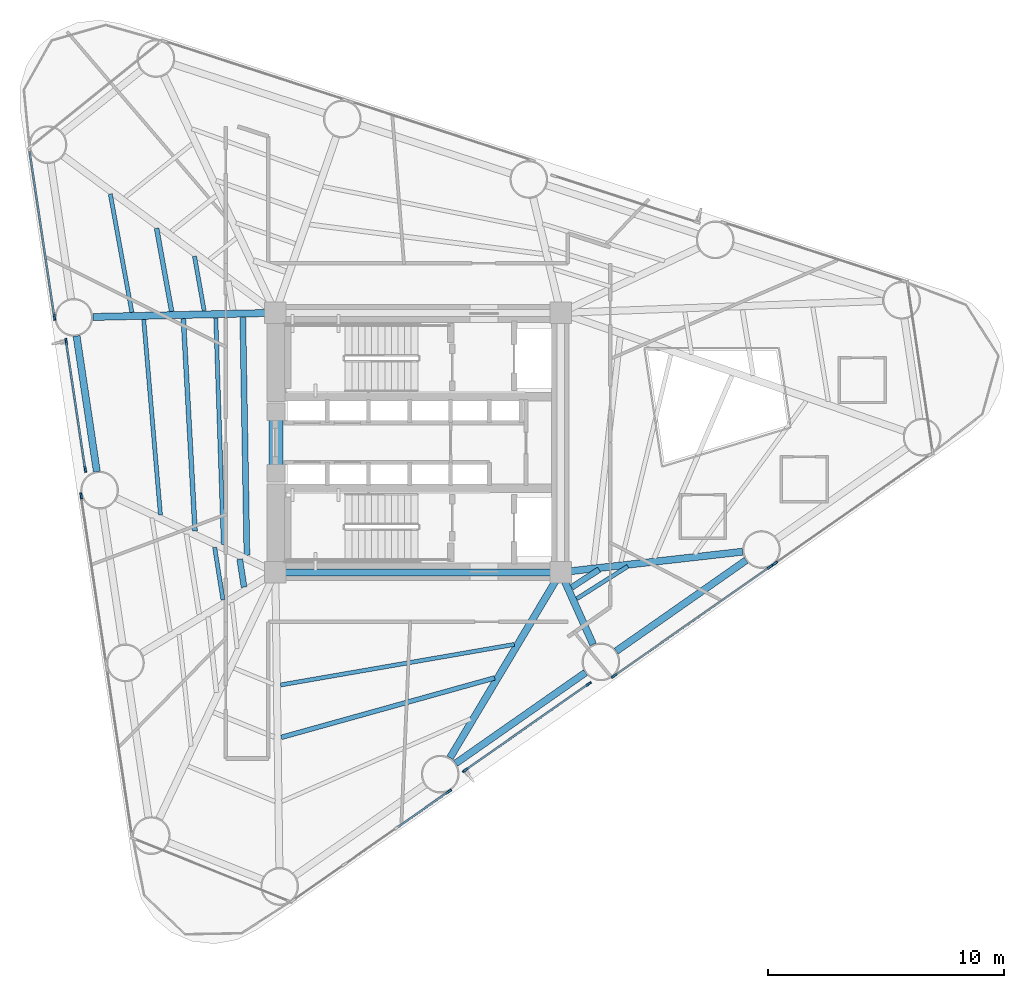
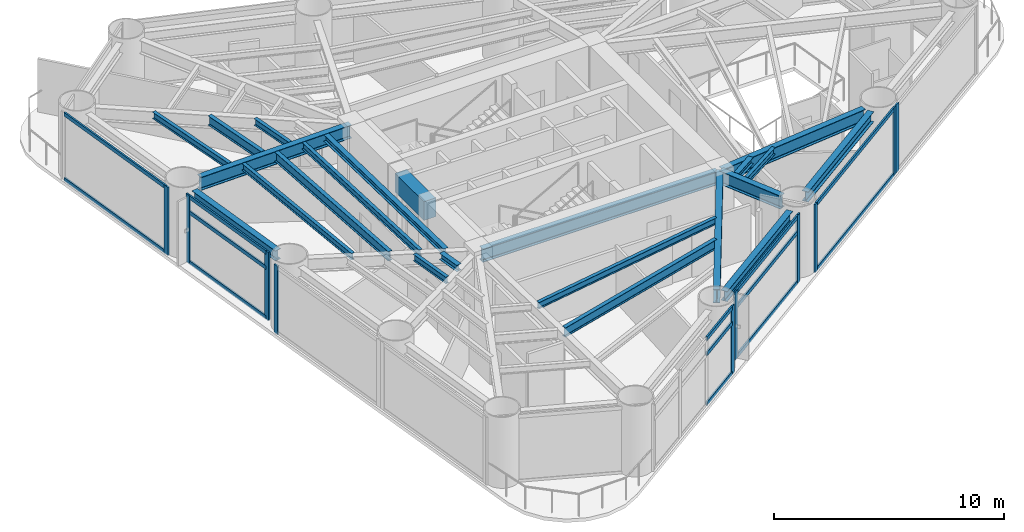
# One storey, part 2 of 9: 23 members, 22 beams, 7 elements without a shape of their own.
"""IFC4 building model written with IfcOpenShell, lengths in metres."""

from ifc_helpers import new_model, si_unit, direction, frame, origin, origin_2d, place, context, subcontext, project, spatial, rectangle, i_section, extrude, source, transform, mapped, material, layer, layer_set, material_profile, profile_set, type_object, element, aggregate, save


model = new_model("IFC4")

# Units and contexts
model_context = context("Model", 3, precision=1e-05, world=origin(), true_north=direction((0.0, 1.0)))
body_context = subcontext(model_context, "Body", "Model", "MODEL_VIEW")
ifc_project = project(units=[si_unit("LENGTHUNIT", "METRE"), si_unit("AREAUNIT", "SQUARE_METRE"), si_unit("VOLUMEUNIT", "CUBIC_METRE"), si_unit("PLANEANGLEUNIT", "RADIAN"), si_unit("MASSUNIT", "GRAM", prefix="KILO")], contexts=[model_context])

# Site, building, storey
site_placement = place(None, origin())
site = spatial("IfcSite", under=ifc_project, at=site_placement, CompositionType="ELEMENT")
building_placement = place(site_placement, origin())
building = spatial("IfcBuilding", under=site, at=building_placement, Name="Yunling Apex Tower", CompositionType="ELEMENT")
storey_placement = place(building_placement, frame((0.0, 0.0, 81.050048828125)))
storey = spatial("IfcBuildingStorey", under=building, at=storey_placement, Name="L21", CompositionType="ELEMENT", Elevation=81.050048828125)

# Beams
ifc_material_1 = material(Name="Concrete C60", Category="concrete")
ifc_material_profile_1 = material_profile(ifc_material_1, rectangle(XDim=0.60009765625, YDim=1.0, at=origin_2d()))
ifc_profile_set_1 = profile_set([ifc_material_profile_1], Name="Concrete C60")
beam_type_1 = type_object("IfcBeamType", Name="BC-CPL-1", PredefinedType="BEAM", material=ifc_profile_set_1)
shared_shape_1 = source(origin(), body_context, "Body", "SweptSolid", [
    extrude(rectangle(XDim=0.60009765625, YDim=1.0, at=origin_2d()), origin(), (0.0, 0.0, 1.0), 2.5),
])
beam_1_placement = place(storey_placement, frame((-6.02490234375, -1.25, 3.030029296875), z_axis=(0.0, 1.0, 0.0), x_axis=(-1.0, 0.0, 0.0)))
element("IfcBeam", 1, at=beam_1_placement, inside=storey, type_object=beam_type_1, Name="L21 Core West Portal Coupling Beam", PredefinedType="BEAM", context=body_context, shape_type="MappedRepresentation", body=[
    mapped(shared_shape_1, transform((0.0, 0.0, 0.0), scale=1.0)),
])
ifc_material_2 = material(Name="Steel Q355B", Category="steel")
ifc_material_profile_2 = material_profile(ifc_material_2, i_section(OverallWidth=0.300048828125, OverallDepth=0.699951171875, WebThickness=0.012939453125, FlangeThickness=0.02392578125, FilletRadius=0.02587890625, at=origin_2d()))
ifc_profile_set_2 = profile_set([ifc_material_profile_2], Name="Steel Q355B")
beam_type_2 = type_object("IfcBeamType", Name="BG-PRI-3", PredefinedType="USERDEFINED", material=ifc_profile_set_2)
shared_shape_2 = source(origin(), body_context, "Body", "SweptSolid", [
    extrude(i_section(OverallWidth=0.300048828125, OverallDepth=0.699951171875, WebThickness=0.012939453125, FlangeThickness=0.02392578125, FilletRadius=0.02587890625, at=origin_2d()), origin(), (0.0, 0.0, 1.0), 11.7998046875),
])
beam_2_placement = place(storey_placement, frame((-5.89990234375, -5.5, 3.179931640625), z_axis=(1.0, 0.0, 0.0), x_axis=(0.0, 1.0, 0.0)))
element("IfcBeam", 2, at=beam_2_placement, inside=storey, type_object=beam_type_2, Name="L21 Core Ring Tie Beam 1", ObjectType="GIRDER", PredefinedType="USERDEFINED", context=body_context, shape_type="MappedRepresentation", body=[
    mapped(shared_shape_2, transform((0.0, 0.0, 0.0), scale=1.0)),
])
ifc_material_profile_3 = material_profile(ifc_material_2, i_section(OverallWidth=0.300048828125, OverallDepth=0.5400390625, WebThickness=0.011962890625, FlangeThickness=0.02001953125, FilletRadius=0.02392578125, at=origin_2d()))
ifc_profile_set_3 = profile_set([ifc_material_profile_3], Name="Steel Q355B")
beam_type_3 = type_object("IfcBeamType", Name="BP-SPN-1", PredefinedType="SPANDREL", material=ifc_profile_set_3)
shared_shape_3 = source(origin(), body_context, "Body", "SweptSolid", [
    extrude(i_section(OverallWidth=0.300048828125, OverallDepth=0.5400390625, WebThickness=0.011962890625, FlangeThickness=0.02001953125, FilletRadius=0.02392578125, at=origin_2d()), origin(), (0.0, 0.0, 1.0), 6.721435546875),
])
for number, where, z_axis, x_axis, name in (
    (3, (1.59228515625, -13.60302734375, 3.260009765625), (0.81955772083, 0.572996633697, 0.0), (-0.572996633697, 0.81955772083, 0.0), "L21 Perimeter Spandrel Beam 2"),
    (4, (8.40234375, -8.841796875, 3.260009765625), (0.81955772083, 0.572996633697, 0.0), (-0.572996633697, 0.81955772083, 0.0), "L21 Perimeter Spandrel Beam 3"),
):
    element("IfcBeam", number, at=place(storey_placement, frame(where, z_axis=z_axis, x_axis=x_axis)), inside=storey, type_object=beam_type_3, Name=name, PredefinedType="SPANDREL", context=body_context, shape_type="MappedRepresentation", body=[
        mapped(shared_shape_3, transform((0.0, 0.0, 0.0), scale=1.0)),
    ])
shared_shape_4 = source(origin(), body_context, "Body", "SweptSolid", [
    extrude(i_section(OverallWidth=0.300048828125, OverallDepth=0.5400390625, WebThickness=0.011962890625, FlangeThickness=0.02001953125, FilletRadius=0.02392578125, at=origin_2d()), origin(), (0.0, 0.0, 1.0), 5.81689453125),
])
beam_3_placement = place(storey_placement, frame((-14.477294921875, 4.5205078125, 3.260009765625), z_axis=(0.147823230204, -0.989013797989, 0.0), x_axis=(0.989013797989, 0.147823230204, 0.0)))
element("IfcBeam", 5, at=beam_3_placement, inside=storey, type_object=beam_type_3, Name="L21 Perimeter Spandrel Beam 12", PredefinedType="SPANDREL", context=body_context, shape_type="MappedRepresentation", body=[
    mapped(shared_shape_4, transform((0.0, 0.0, 0.0), scale=1.0)),
])
shared_shape_5 = source(origin(), body_context, "Body", "SweptSolid", [
    extrude(i_section(OverallWidth=0.300048828125, OverallDepth=0.699951171875, WebThickness=0.012939453125, FlangeThickness=0.02392578125, FilletRadius=0.02587890625, at=origin_2d()), origin(), (0.0, 0.0, 1.0), 9.078857421875),
])
beam_4_placement = place(storey_placement, frame((1.355712890625, -13.3642578125, 3.179931640625), z_axis=(0.512544819157, 0.858660473269, 0.0), x_axis=(-0.858660473269, 0.512544819157, 0.0)))
element("IfcBeam", 6, at=beam_4_placement, inside=storey, type_object=beam_type_2, Name="L21 Radial Primary Girder R02", ObjectType="GIRDER", PredefinedType="USERDEFINED", context=body_context, shape_type="MappedRepresentation", body=[
    mapped(shared_shape_5, transform((0.0, 0.0, 0.0), scale=1.0)),
])
shared_shape_6 = source(origin(), body_context, "Body", "SweptSolid", [
    extrude(i_section(OverallWidth=0.300048828125, OverallDepth=0.699951171875, WebThickness=0.012939453125, FlangeThickness=0.02392578125, FilletRadius=0.02587890625, at=origin_2d()), origin(), (0.0, 0.0, 1.0), 3.272705078125),
])
beam_5_placement = place(storey_placement, frame((7.421142578125, -8.5595703125, 3.179931640625), z_axis=(-0.408946662986, 0.912558286814, 0.0), x_axis=(-0.912558286814, -0.408946662986, 0.0)))
element("IfcBeam", 7, at=beam_5_placement, inside=storey, type_object=beam_type_2, Name="L21 Radial Primary Girder R03", ObjectType="GIRDER", PredefinedType="USERDEFINED", context=body_context, shape_type="MappedRepresentation", body=[
    mapped(shared_shape_6, transform((0.0, 0.0, 0.0), scale=1.0)),
])
shared_shape_7 = source(origin(), body_context, "Body", "SweptSolid", [
    extrude(i_section(OverallWidth=0.300048828125, OverallDepth=0.699951171875, WebThickness=0.012939453125, FlangeThickness=0.02392578125, FilletRadius=0.02587890625, at=origin_2d()), origin(), (0.0, 0.0, 1.0), 7.677978515625),
])
beam_6_placement = place(storey_placement, frame((13.758544921875, -4.62646484375, 3.179931640625), z_axis=(-0.993640958951, -0.112595047382, 0.0), x_axis=(0.112595047382, -0.993640958951, 0.0)))
element("IfcBeam", 8, at=beam_6_placement, inside=storey, type_object=beam_type_2, Name="L21 Radial Primary Girder R04", ObjectType="GIRDER", PredefinedType="USERDEFINED", context=body_context, shape_type="MappedRepresentation", body=[
    mapped(shared_shape_7, transform((0.0, 0.0, 0.0), scale=1.0)),
])
shared_shape_8 = source(origin(), body_context, "Body", "SweptSolid", [
    extrude(i_section(OverallWidth=0.300048828125, OverallDepth=0.699951171875, WebThickness=0.012939453125, FlangeThickness=0.02392578125, FilletRadius=0.02587890625, at=origin_2d()), origin(), (0.0, 0.0, 1.0), 7.658935546875),
])
beam_7_placement = place(storey_placement, frame((-13.786865234375, 5.32421875, 3.179931640625), z_axis=(0.999741687414, 0.022727922173, 0.0), x_axis=(-0.022727922173, 0.999741687414, 0.0)))
element("IfcBeam", 9, at=beam_7_placement, inside=storey, type_object=beam_type_2, Name="L21 Radial Primary Girder R12", ObjectType="GIRDER", PredefinedType="USERDEFINED", context=body_context, shape_type="MappedRepresentation", body=[
    mapped(shared_shape_8, transform((0.0, 0.0, 0.0), scale=1.0)),
])
ifc_material_profile_4 = material_profile(ifc_material_2, i_section(OverallWidth=0.199951171875, OverallDepth=0.5, WebThickness=0.010009765625, FlangeThickness=0.01611328125, FilletRadius=0.02001953125, at=origin_2d()))
ifc_profile_set_4 = profile_set([ifc_material_profile_4], Name="Steel Q355B")
beam_type_4 = type_object("IfcBeamType", Name="BS-SEC-2", PredefinedType="BEAM", material=ifc_profile_set_4)
shared_shape_9 = source(origin(), body_context, "Body", "SweptSolid", [
    extrude(i_section(OverallWidth=0.199951171875, OverallDepth=0.5, WebThickness=0.010009765625, FlangeThickness=0.01611328125, FilletRadius=0.02001953125, at=origin_2d()), origin(), (0.0, 0.0, 1.0), 9.3935546875),
])
beam_8_placement = place(storey_placement, frame((-5.7998046875, -12.498779296875, 3.280029296875), z_axis=(0.963300137935, 0.268426608693, 0.0), x_axis=(-0.268426608693, 0.963300137935, 0.0)))
element("IfcBeam", 10, at=beam_8_placement, inside=storey, type_object=beam_type_4, Name="L21 Composite Floor Beam BS-1", PredefinedType="BEAM", context=body_context, shape_type="MappedRepresentation", body=[
    mapped(shared_shape_9, transform((0.0, 0.0, 0.0), scale=1.0)),
])
ifc_material_profile_5 = material_profile(ifc_material_2, i_section(OverallWidth=0.175048828125, OverallDepth=0.35009765625, WebThickness=0.007080078125, FlangeThickness=0.010986328125, FilletRadius=0.013916015625, at=origin_2d()))
ifc_profile_set_5 = profile_set([ifc_material_profile_5], Name="Steel Q355B")
beam_type_5 = type_object("IfcBeamType", Name="BJ-JST-1", PredefinedType="JOIST", material=ifc_profile_set_5)
shared_shape_10 = source(origin(), body_context, "Body", "SweptSolid", [
    extrude(i_section(OverallWidth=0.175048828125, OverallDepth=0.35009765625, WebThickness=0.007080078125, FlangeThickness=0.010986328125, FilletRadius=0.013916015625, at=origin_2d()), origin(), (0.0, 0.0, 1.0), 10.057861328125),
])
beam_9_placement = place(storey_placement, frame((-5.826904296875, -10.276611328125, 3.35498046875), z_axis=(0.985298923649, 0.170839196488, 0.0), x_axis=(-0.170839196488, 0.985298923649, 0.0)))
element("IfcBeam", 11, at=beam_9_placement, inside=storey, type_object=beam_type_5, Name="L21 Composite Floor Joist BJ3-1", PredefinedType="JOIST", context=body_context, shape_type="MappedRepresentation", body=[
    mapped(shared_shape_10, transform((0.0, 0.0, 0.0), scale=1.0)),
])
shared_shape_11 = source(origin(), body_context, "Body", "SweptSolid", [
    extrude(i_section(OverallWidth=0.199951171875, OverallDepth=0.5, WebThickness=0.010009765625, FlangeThickness=0.01611328125, FilletRadius=0.02001953125, at=origin_2d()), origin(), (0.0, 0.0, 1.0), 3.5859375),
])
beam_10_placement = place(storey_placement, frame((-11.083984375, 9.0869140625, 3.280029296875), z_axis=(0.177830877335, -0.984061064704, 0.0), x_axis=(0.984061064704, 0.177830877335, 0.0)))
element("IfcBeam", 12, at=beam_10_placement, inside=storey, type_object=beam_type_4, Name="L21 Composite Floor Beam BS-11", PredefinedType="BEAM", context=body_context, shape_type="MappedRepresentation", body=[
    mapped(shared_shape_11, transform((0.0, 0.0, 0.0), scale=1.0)),
])
shared_shape_12 = source(origin(), body_context, "Body", "SweptSolid", [
    extrude(i_section(OverallWidth=0.175048828125, OverallDepth=0.35009765625, WebThickness=0.007080078125, FlangeThickness=0.010986328125, FilletRadius=0.013916015625, at=origin_2d()), origin(), (0.0, 0.0, 1.0), 5.102294921875),
])
beam_11_placement = place(storey_placement, frame((-13.047119140625, 10.539306640625, 3.35498046875), z_axis=(0.179533864947, -0.983751793562, 0.0), x_axis=(0.983751793562, 0.179533864947, 0.0)))
element("IfcBeam", 13, at=beam_11_placement, inside=storey, type_object=beam_type_5, Name="L21 Composite Floor Joist BJ1-11", PredefinedType="JOIST", context=body_context, shape_type="MappedRepresentation", body=[
    mapped(shared_shape_12, transform((0.0, 0.0, 0.0), scale=1.0)),
])
shared_shape_13 = source(origin(), body_context, "Body", "SweptSolid", [
    extrude(i_section(OverallWidth=0.175048828125, OverallDepth=0.35009765625, WebThickness=0.007080078125, FlangeThickness=0.010986328125, FilletRadius=0.013916015625, at=origin_2d()), origin(), (0.0, 0.0, 1.0), 2.34521484375),
])
beam_12_placement = place(storey_placement, frame((-9.477783203125, 7.898681640625, 3.35498046875), z_axis=(0.174889813897, -0.984588011808, 0.0), x_axis=(0.984588011808, 0.174889813897, 0.0)))
element("IfcBeam", 14, at=beam_12_placement, inside=storey, type_object=beam_type_5, Name="L21 Composite Floor Joist BJ3-11", PredefinedType="JOIST", context=body_context, shape_type="MappedRepresentation", body=[
    mapped(shared_shape_13, transform((0.0, 0.0, 0.0), scale=1.0)),
])
shared_shape_14 = source(origin(), body_context, "Body", "SweptSolid", [
    extrude(i_section(OverallWidth=0.199951171875, OverallDepth=0.5, WebThickness=0.010009765625, FlangeThickness=0.01611328125, FilletRadius=0.02001953125, at=origin_2d()), origin(), (0.0, 0.0, 1.0), 9.018310546875),
])
beam_13_placement = place(storey_placement, frame((-9.94970703125, 5.25146484375, 3.280029296875), z_axis=(0.054955731572, -0.998488791909, 0.0), x_axis=(0.998488791909, 0.054955731572, 0.0)))
element("IfcBeam", 15, at=beam_13_placement, inside=storey, type_object=beam_type_4, Name="L21 Composite Floor Beam BS-12", PredefinedType="BEAM", context=body_context, shape_type="MappedRepresentation", body=[
    mapped(shared_shape_14, transform((0.0, 0.0, 0.0), scale=1.0)),
])
shared_shape_15 = source(origin(), body_context, "Body", "SweptSolid", [
    extrude(i_section(OverallWidth=0.175048828125, OverallDepth=0.35009765625, WebThickness=0.007080078125, FlangeThickness=0.010986328125, FilletRadius=0.013916015625, at=origin_2d()), origin(), (0.0, 0.0, 1.0), 8.313720703125),
])
beam_14_placement = place(storey_placement, frame((-11.62939453125, 5.21337890625, 3.35498046875), z_axis=(0.085220398072, -0.996362124808, 0.0), x_axis=(0.996362124808, 0.085220398072, 0.0)))
element("IfcBeam", 16, at=beam_14_placement, inside=storey, type_object=beam_type_5, Name="L21 Composite Floor Joist BJ1-12", PredefinedType="JOIST", context=body_context, shape_type="MappedRepresentation", body=[
    mapped(shared_shape_15, transform((0.0, 0.0, 0.0), scale=1.0)),
])
shared_shape_16 = source(origin(), body_context, "Body", "SweptSolid", [
    extrude(i_section(OverallWidth=0.175048828125, OverallDepth=0.35009765625, WebThickness=0.007080078125, FlangeThickness=0.010986328125, FilletRadius=0.013916015625, at=origin_2d()), origin(), (0.0, 0.0, 1.0), 9.600341796875),
])
beam_15_placement = place(storey_placement, frame((-8.57470703125, 5.28271484375, 3.35498046875), z_axis=(0.033364787957, -0.999443240472, 0.0), x_axis=(0.999443240472, 0.033364787957, 0.0)))
element("IfcBeam", 17, at=beam_15_placement, inside=storey, type_object=beam_type_5, Name="L21 Composite Floor Joist BJ3-12", PredefinedType="JOIST", context=body_context, shape_type="MappedRepresentation", body=[
    mapped(shared_shape_16, transform((0.0, 0.0, 0.0), scale=1.0)),
])
ifc_material_profile_6 = material_profile(ifc_material_2, i_section(OverallWidth=0.25, OverallDepth=0.340087890625, WebThickness=0.009033203125, FlangeThickness=0.013916015625, FilletRadius=0.01806640625, at=origin_2d()))
ifc_profile_set_6 = profile_set([ifc_material_profile_6], Name="Steel Q355B")
beam_type_6 = type_object("IfcBeamType", Name="BJ-JST-2", PredefinedType="JOIST", material=ifc_profile_set_6)
shared_shape_17 = source(origin(), body_context, "Body", "SweptSolid", [
    extrude(i_section(OverallWidth=0.25, OverallDepth=0.340087890625, WebThickness=0.009033203125, FlangeThickness=0.013916015625, FilletRadius=0.01806640625, at=origin_2d()), origin(), (0.0, 0.0, 1.0), 10.088134765625),
])
beam_16_placement = place(storey_placement, frame((-7.428955078125, 5.30859375, 3.35986328125), z_axis=(0.017255085284, -0.999851119933, 0.0), x_axis=(0.999851119933, 0.017255085284, 0.0)))
element("IfcBeam", 18, at=beam_16_placement, inside=storey, type_object=beam_type_6, Name="L21 Composite Floor Joist BJ2-12", PredefinedType="JOIST", context=body_context, shape_type="MappedRepresentation", body=[
    mapped(shared_shape_17, transform((0.0, 0.0, 0.0), scale=1.0)),
])
shared_shape_18 = source(origin(), body_context, "Body", "SweptSolid", [
    extrude(i_section(OverallWidth=0.175048828125, OverallDepth=0.35009765625, WebThickness=0.007080078125, FlangeThickness=0.010986328125, FilletRadius=0.013916015625, at=origin_2d()), origin(), (0.0, 0.0, 1.0), 2.252685546875),
])
beam_17_placement = place(storey_placement, frame((-8.622802734375, -4.443603515625, 3.35498046875), z_axis=(0.156608129458, -0.987660819203, 0.0), x_axis=(0.987660819203, 0.156608129458, 0.0)))
element("IfcBeam", 19, at=beam_17_placement, inside=storey, type_object=beam_type_5, Name="L21 Composite Floor Joist BJ3-13", PredefinedType="JOIST", context=body_context, shape_type="MappedRepresentation", body=[
    mapped(shared_shape_18, transform((0.0, 0.0, 0.0), scale=1.0)),
])
shared_shape_19 = source(origin(), body_context, "Body", "SweptSolid", [
    extrude(i_section(OverallWidth=0.25, OverallDepth=0.340087890625, WebThickness=0.009033203125, FlangeThickness=0.013916015625, FilletRadius=0.01806640625, at=origin_2d()), origin(), (0.0, 0.0, 1.0), 1.20068359375),
])
beam_18_placement = place(storey_placement, frame((-7.559814453125, -4.94091796875, 3.35986328125), z_axis=(0.154531945298, -0.987987792375, 0.0), x_axis=(0.987987792375, 0.154531945298, 0.0)))
element("IfcBeam", 20, at=beam_18_placement, inside=storey, type_object=beam_type_6, Name="L21 Composite Floor Joist BJ2-13", PredefinedType="JOIST", context=body_context, shape_type="MappedRepresentation", body=[
    mapped(shared_shape_19, transform((0.0, 0.0, 0.0), scale=1.0)),
])
shared_shape_20 = source(origin(), body_context, "Body", "SweptSolid", [
    extrude(i_section(OverallWidth=0.175048828125, OverallDepth=0.35009765625, WebThickness=0.007080078125, FlangeThickness=0.010986328125, FilletRadius=0.013916015625, at=origin_2d()), origin(), (0.0, 0.0, 1.0), 2.56591796875),
])
beam_19_placement = place(storey_placement, frame((6.726318359375, -6.622314453125, 3.35498046875), z_axis=(0.844537965425, 0.535495681547, 0.0), x_axis=(-0.535495681547, 0.844537965425, 0.0)))
element("IfcBeam", 21, at=beam_19_placement, inside=storey, type_object=beam_type_5, Name="L21 Composite Floor Joist BJ3-3", PredefinedType="JOIST", context=body_context, shape_type="MappedRepresentation", body=[
    mapped(shared_shape_20, transform((0.0, 0.0, 0.0), scale=1.0)),
])
shared_shape_21 = source(origin(), body_context, "Body", "SweptSolid", [
    extrude(i_section(OverallWidth=0.25, OverallDepth=0.340087890625, WebThickness=0.009033203125, FlangeThickness=0.013916015625, FilletRadius=0.01806640625, at=origin_2d()), origin(), (0.0, 0.0, 1.0), 1.385986328125),
])
beam_20_placement = place(storey_placement, frame((6.51123046875, -6.142822265625, 3.35986328125), z_axis=(0.838656853173, 0.544660153331, 0.0), x_axis=(-0.544660153331, 0.838656853173, 0.0)))
element("IfcBeam", 22, at=beam_20_placement, inside=storey, type_object=beam_type_6, Name="L21 Composite Floor Joist BJ2-3", PredefinedType="JOIST", context=body_context, shape_type="MappedRepresentation", body=[
    mapped(shared_shape_21, transform((0.0, 0.0, 0.0), scale=1.0)),
])

# Curtain wall, members
ifc_material_3 = material(Name="Bronze anodised aluminium", Category="aluminium")
ifc_layer = layer(ifc_material_3, 0.260009765625)
ifc_layer_set = layer_set([ifc_layer], Name="Bronze anodised aluminium")
curtain_wall_type = type_object("IfcCurtainWallType", Name="CW-SYS-2", PredefinedType="NOTDEFINED", material=ifc_layer_set)
curtain_wall_1_placement = place(storey_placement, origin())
curtain_wall_1 = element("IfcCurtainWall", 23, at=curtain_wall_1_placement, inside=storey, type_object=curtain_wall_type, Name="CW-L21-F1-B1", PredefinedType="NOTDEFINED")
ifc_material_profile_7 = material_profile(ifc_material_3, rectangle(XDim=0.0849609375, YDim=0.199951171875, at=origin_2d()))
ifc_profile_set_7 = profile_set([ifc_material_profile_7], Name="Bronze anodised aluminium")
member_type_1 = type_object("IfcMemberType", Name="CW-TRN-2", PredefinedType="USERDEFINED", material=ifc_profile_set_7)
shared_shape_22 = source(origin(), body_context, "Body", "SweptSolid", [
    extrude(rectangle(XDim=0.0849609375, YDim=0.199951171875, at=origin_2d()), origin(), (0.0, 0.0, 1.0), 2.59765625),
])
member_1_placement = place(storey_placement, frame((-0.854736328125, -16.30224609375, 0.04248046875), z_axis=(0.819585012743, 0.572957596064, 0.0), x_axis=(-0.572957596064, 0.819585012743, 0.0)))
member_1 = element("IfcMember", 24, at=member_1_placement, type_object=member_type_1, Name="CW-SYS-2 transom 3.1", ObjectType="TRANSOM", PredefinedType="USERDEFINED", context=body_context, shape_type="MappedRepresentation", body=[
    mapped(shared_shape_22, transform((0.0, 0.0, 0.0), scale=1.0)),
])
member_2_placement = place(storey_placement, frame((-0.854736328125, -16.30224609375, 2.682861328125), z_axis=(0.819585012743, 0.572957596064, 0.0), x_axis=(-0.572957596064, 0.819585012743, 0.0)))
member_2 = element("IfcMember", 25, at=member_2_placement, type_object=member_type_1, Name="CW-SYS-2 transom 3.2", ObjectType="TRANSOM", PredefinedType="USERDEFINED", context=body_context, shape_type="MappedRepresentation", body=[
    mapped(shared_shape_22, transform((0.0, 0.0, 0.0), scale=1.0)),
])
member_3_placement = place(storey_placement, frame((-0.854736328125, -16.30224609375, 3.487548828125), z_axis=(0.819585012743, 0.572957596064, 0.0), x_axis=(-0.572957596064, 0.819585012743, 0.0)))
member_3 = element("IfcMember", 26, at=member_3_placement, type_object=member_type_1, Name="CW-SYS-2 transom 3.3", ObjectType="TRANSOM", PredefinedType="USERDEFINED", context=body_context, shape_type="MappedRepresentation", body=[
    mapped(shared_shape_22, transform((0.0, 0.0, 0.0), scale=1.0)),
])

curtain_wall_2_placement = place(storey_placement, origin())
curtain_wall_2 = element("IfcCurtainWall", 27, at=curtain_wall_2_placement, inside=storey, type_object=curtain_wall_type, Name="CW-L21-F1-B2", PredefinedType="NOTDEFINED")
shared_shape_23 = source(origin(), body_context, "Body", "SweptSolid", [
    extrude(rectangle(XDim=0.0849609375, YDim=0.199951171875, at=origin_2d()), origin(), (0.0, 0.0, 1.0), 6.3076171875),
])
member_4_placement = place(storey_placement, frame((2.03125, -13.86962890625, 0.04248046875), z_axis=(0.819555463581, 0.57299986223, 0.0), x_axis=(-0.57299986223, 0.819555463581, 0.0)))
member_4 = element("IfcMember", 28, at=member_4_placement, type_object=member_type_1, Name="CW-SYS-2 transom 1.1", ObjectType="TRANSOM", PredefinedType="USERDEFINED", context=body_context, shape_type="MappedRepresentation", body=[
    mapped(shared_shape_23, transform((0.0, 0.0, 0.0), scale=1.0)),
])
member_5_placement = place(storey_placement, frame((2.03125, -13.86962890625, 2.682861328125), z_axis=(0.819555463581, 0.57299986223, 0.0), x_axis=(-0.57299986223, 0.819555463581, 0.0)))
member_5 = element("IfcMember", 29, at=member_5_placement, type_object=member_type_1, Name="CW-SYS-2 transom 1.2", ObjectType="TRANSOM", PredefinedType="USERDEFINED", context=body_context, shape_type="MappedRepresentation", body=[
    mapped(shared_shape_23, transform((0.0, 0.0, 0.0), scale=1.0)),
])
member_6_placement = place(storey_placement, frame((2.03125, -13.86962890625, 3.487548828125), z_axis=(0.819555463581, 0.57299986223, 0.0), x_axis=(-0.57299986223, 0.819555463581, 0.0)))
member_6 = element("IfcMember", 30, at=member_6_placement, type_object=member_type_1, Name="CW-SYS-2 transom 1.3", ObjectType="TRANSOM", PredefinedType="USERDEFINED", context=body_context, shape_type="MappedRepresentation", body=[
    mapped(shared_shape_23, transform((0.0, 0.0, 0.0), scale=1.0)),
])

curtain_wall_3_placement = place(storey_placement, origin())
curtain_wall_3 = element("IfcCurtainWall", 31, at=curtain_wall_3_placement, inside=storey, type_object=curtain_wall_type, Name="CW-L21-F1-B3", PredefinedType="NOTDEFINED")
shared_shape_24 = source(origin(), body_context, "Body", "SweptSolid", [
    extrude(rectangle(XDim=0.0849609375, YDim=0.199951171875, at=origin_2d()), origin(), (0.0, 0.0, 1.0), 7.98779296875),
])
member_7_placement = place(storey_placement, frame((8.347412109375, -9.868408203125, 0.04248046875), z_axis=(0.819559176955, 0.572994550995, 0.0), x_axis=(-0.572994550995, 0.819559176955, 0.0)))
member_7 = element("IfcMember", 32, at=member_7_placement, type_object=member_type_1, Name="CW-SYS-2 transom 1.1", ObjectType="TRANSOM", PredefinedType="USERDEFINED", context=body_context, shape_type="MappedRepresentation", body=[
    mapped(shared_shape_24, transform((0.0, 0.0, 0.0), scale=1.0)),
])
member_8_placement = place(storey_placement, frame((8.347412109375, -9.868408203125, 3.487548828125), z_axis=(0.819559176955, 0.572994550995, 0.0), x_axis=(-0.572994550995, 0.819559176955, 0.0)))
member_8 = element("IfcMember", 33, at=member_8_placement, type_object=member_type_1, Name="CW-SYS-2 transom 1.2", ObjectType="TRANSOM", PredefinedType="USERDEFINED", context=body_context, shape_type="MappedRepresentation", body=[
    mapped(shared_shape_24, transform((0.0, 0.0, 0.0), scale=1.0)),
])

curtain_wall_4_placement = place(storey_placement, origin())
curtain_wall_4 = element("IfcCurtainWall", 34, at=curtain_wall_4_placement, inside=storey, type_object=curtain_wall_type, Name="CW-L21-F3-B1", PredefinedType="NOTDEFINED")
shared_shape_25 = source(origin(), body_context, "Body", "SweptSolid", [
    extrude(rectangle(XDim=0.0849609375, YDim=0.199951171875, at=origin_2d()), origin(), (0.0, 0.0, 1.0), 7.08349609375),
])
member_9_placement = place(storey_placement, frame((-16.466552734375, 12.350830078125, 0.04248046875), z_axis=(0.147826386349, -0.989013326249, 0.0), x_axis=(0.989013326249, 0.147826386349, 0.0)))
member_9 = element("IfcMember", 35, at=member_9_placement, type_object=member_type_1, Name="CW-SYS-2 transom 1.1", ObjectType="TRANSOM", PredefinedType="USERDEFINED", context=body_context, shape_type="MappedRepresentation", body=[
    mapped(shared_shape_25, transform((0.0, 0.0, 0.0), scale=1.0)),
])
member_10_placement = place(storey_placement, frame((-16.466552734375, 12.350830078125, 3.487548828125), z_axis=(0.147826386349, -0.989013326249, 0.0), x_axis=(0.989013326249, 0.147826386349, 0.0)))
member_10 = element("IfcMember", 36, at=member_10_placement, type_object=member_type_1, Name="CW-SYS-2 transom 1.2", ObjectType="TRANSOM", PredefinedType="USERDEFINED", context=body_context, shape_type="MappedRepresentation", body=[
    mapped(shared_shape_25, transform((0.0, 0.0, 0.0), scale=1.0)),
])

curtain_wall_5_placement = place(storey_placement, origin())
curtain_wall_5 = element("IfcCurtainWall", 37, at=curtain_wall_5_placement, inside=storey, type_object=curtain_wall_type, Name="CW-L21-F3-B2", PredefinedType="NOTDEFINED")
shared_shape_26 = source(origin(), body_context, "Body", "SweptSolid", [
    extrude(rectangle(XDim=0.0849609375, YDim=0.199951171875, at=origin_2d()), origin(), (0.0, 0.0, 1.0), 5.403564453125),
])
member_11_placement = place(storey_placement, frame((-14.91162109375, 4.246826171875, 0.04248046875), z_axis=(0.147788090943, -0.98901904945, 0.0), x_axis=(0.98901904945, 0.147788090943, 0.0)))
member_11 = element("IfcMember", 38, at=member_11_placement, type_object=member_type_1, Name="CW-SYS-2 transom 1.1", ObjectType="TRANSOM", PredefinedType="USERDEFINED", context=body_context, shape_type="MappedRepresentation", body=[
    mapped(shared_shape_26, transform((0.0, 0.0, 0.0), scale=1.0)),
])
member_12_placement = place(storey_placement, frame((-14.91162109375, 4.246826171875, 2.682861328125), z_axis=(0.147788090943, -0.98901904945, 0.0), x_axis=(0.98901904945, 0.147788090943, 0.0)))
member_12 = element("IfcMember", 39, at=member_12_placement, type_object=member_type_1, Name="CW-SYS-2 transom 1.2", ObjectType="TRANSOM", PredefinedType="USERDEFINED", context=body_context, shape_type="MappedRepresentation", body=[
    mapped(shared_shape_26, transform((0.0, 0.0, 0.0), scale=1.0)),
])
member_13_placement = place(storey_placement, frame((-14.91162109375, 4.246826171875, 3.487548828125), z_axis=(0.147788090943, -0.98901904945, 0.0), x_axis=(0.98901904945, 0.147788090943, 0.0)))
member_13 = element("IfcMember", 40, at=member_13_placement, type_object=member_type_1, Name="CW-SYS-2 transom 1.3", ObjectType="TRANSOM", PredefinedType="USERDEFINED", context=body_context, shape_type="MappedRepresentation", body=[
    mapped(shared_shape_26, transform((0.0, 0.0, 0.0), scale=1.0)),
])

# Member
ifc_material_profile_8 = material_profile(ifc_material_3, rectangle(XDim=0.0849609375, YDim=0.260009765625, at=origin_2d()))
ifc_profile_set_8 = profile_set([ifc_material_profile_8], Name="Bronze anodised aluminium")
member_type_2 = type_object("IfcMemberType", Name="CW-MUL-2", PredefinedType="MULLION", material=ifc_profile_set_8)
shared_shape_27 = source(origin(), body_context, "Body", "SweptSolid", [
    extrude(rectangle(XDim=0.0849609375, YDim=0.260009765625, at=origin_2d()), origin(), (0.0, 0.0, 1.0), 3.6298828125),
])
member_14_placement = place(storey_placement, frame((1.305419921875, -14.7919921875, -0.050048828125), z_axis=(0.0, 0.0, 1.0), x_axis=(-0.573004358875, 0.819552319691, 0.0)))
member_14 = element("IfcMember", 41, at=member_14_placement, type_object=member_type_2, Name="CW-SYS-2 mullion 4", PredefinedType="MULLION", context=body_context, shape_type="MappedRepresentation", body=[
    mapped(shared_shape_27, transform((0.0, 0.0, 0.0), scale=1.0)),
])

aggregate(curtain_wall_1, [member_14, member_1, member_2, member_3])

member_15_placement = place(storey_placement, frame((1.999755859375, -13.8916015625, -0.050048828125), z_axis=(0.0, 0.0, 1.0), x_axis=(-0.573002671888, 0.819553499175, 0.0)))
member_15 = element("IfcMember", 42, at=member_15_placement, type_object=member_type_2, Name="CW-SYS-2 mullion 1", PredefinedType="MULLION", context=body_context, shape_type="MappedRepresentation", body=[
    mapped(shared_shape_27, transform((0.0, 0.0, 0.0), scale=1.0)),
])

member_16_placement = place(storey_placement, frame((7.232177734375, -10.2333984375, -0.050048828125), z_axis=(0.0, 0.0, 1.0), x_axis=(-0.573002671888, 0.819553499175, 0.0)))
member_16 = element("IfcMember", 43, at=member_16_placement, type_object=member_type_2, Name="CW-SYS-2 mullion 2", PredefinedType="MULLION", context=body_context, shape_type="MappedRepresentation", body=[
    mapped(shared_shape_27, transform((0.0, 0.0, 0.0), scale=1.0)),
])

aggregate(curtain_wall_2, [member_15, member_16, member_4, member_5, member_6])

member_17_placement = place(storey_placement, frame((8.31591796875, -9.890380859375, -0.050048828125), z_axis=(0.0, 0.0, 1.0), x_axis=(-0.572996116804, 0.819558082217, 0.0)))
member_17 = element("IfcMember", 44, at=member_17_placement, type_object=member_type_2, Name="CW-SYS-2 mullion 1", PredefinedType="MULLION", context=body_context, shape_type="MappedRepresentation", body=[
    mapped(shared_shape_27, transform((0.0, 0.0, 0.0), scale=1.0)),
])

member_18_placement = place(storey_placement, frame((14.925048828125, -5.26953125, -0.050048828125), z_axis=(0.0, 0.0, 1.0), x_axis=(-0.572996116804, 0.819558082217, 0.0)))
member_18 = element("IfcMember", 45, at=member_18_placement, type_object=member_type_2, Name="CW-SYS-2 mullion 2", PredefinedType="MULLION", context=body_context, shape_type="MappedRepresentation", body=[
    mapped(shared_shape_27, transform((0.0, 0.0, 0.0), scale=1.0)),
])

aggregate(curtain_wall_3, [member_17, member_18, member_7, member_8])

# Curtain wall, member
curtain_wall_6_placement = place(storey_placement, origin())
curtain_wall_6 = element("IfcCurtainWall", 46, at=curtain_wall_6_placement, inside=storey, type_object=curtain_wall_type, Name="CW-L21-F1-B4", PredefinedType="NOTDEFINED")
member_19_placement = place(storey_placement, frame((15.1259765625, -5.129150390625, -0.050048828125), z_axis=(0.0, 0.0, 1.0), x_axis=(-0.573004358875, 0.819552319691, 0.0)))
member_19 = element("IfcMember", 47, at=member_19_placement, type_object=member_type_2, Name="CW-SYS-2 mullion 1", PredefinedType="MULLION", context=body_context, shape_type="MappedRepresentation", body=[
    mapped(shared_shape_27, transform((0.0, 0.0, 0.0), scale=1.0)),
])
aggregate(curtain_wall_6, [member_19])

# Member
member_20_placement = place(storey_placement, frame((-15.413818359375, 5.307373046875, -0.050048828125), z_axis=(0.0, 0.0, 1.0), x_axis=(0.989017400941, 0.147799122579, 0.0)))
member_20 = element("IfcMember", 48, at=member_20_placement, type_object=member_type_2, Name="CW-SYS-2 mullion 2", PredefinedType="MULLION", context=body_context, shape_type="MappedRepresentation", body=[
    mapped(shared_shape_27, transform((0.0, 0.0, 0.0), scale=1.0)),
])

aggregate(curtain_wall_4, [member_20, member_9, member_10])

member_21_placement = place(storey_placement, frame((-14.917236328125, 4.28466796875, -0.050048828125), z_axis=(0.0, 0.0, 1.0), x_axis=(0.98901713531, 0.147800900076, 0.0)))
member_21 = element("IfcMember", 49, at=member_21_placement, type_object=member_type_2, Name="CW-SYS-2 mullion 1", PredefinedType="MULLION", context=body_context, shape_type="MappedRepresentation", body=[
    mapped(shared_shape_27, transform((0.0, 0.0, 0.0), scale=1.0)),
])

member_22_placement = place(storey_placement, frame((-14.107177734375, -1.13525390625, -0.050048828125), z_axis=(0.0, 0.0, 1.0), x_axis=(0.98901713531, 0.147800900076, 0.0)))
member_22 = element("IfcMember", 50, at=member_22_placement, type_object=member_type_2, Name="CW-SYS-2 mullion 2", PredefinedType="MULLION", context=body_context, shape_type="MappedRepresentation", body=[
    mapped(shared_shape_27, transform((0.0, 0.0, 0.0), scale=1.0)),
])

aggregate(curtain_wall_5, [member_21, member_22, member_11, member_12, member_13])

# Curtain wall, member
curtain_wall_7_placement = place(storey_placement, origin())
curtain_wall_7 = element("IfcCurtainWall", 51, at=curtain_wall_7_placement, inside=storey, type_object=curtain_wall_type, Name="CW-L21-F3-B3", PredefinedType="NOTDEFINED")
member_23_placement = place(storey_placement, frame((-14.283203125, -2.258544921875, -0.050048828125), z_axis=(0.0, 0.0, 1.0), x_axis=(0.98901508166, 0.147814641525, 0.0)))
member_23 = element("IfcMember", 52, at=member_23_placement, type_object=member_type_2, Name="CW-SYS-2 mullion 1", PredefinedType="MULLION", context=body_context, shape_type="MappedRepresentation", body=[
    mapped(shared_shape_27, transform((0.0, 0.0, 0.0), scale=1.0)),
])
aggregate(curtain_wall_7, [member_23])

save(model, "model.ifc")
